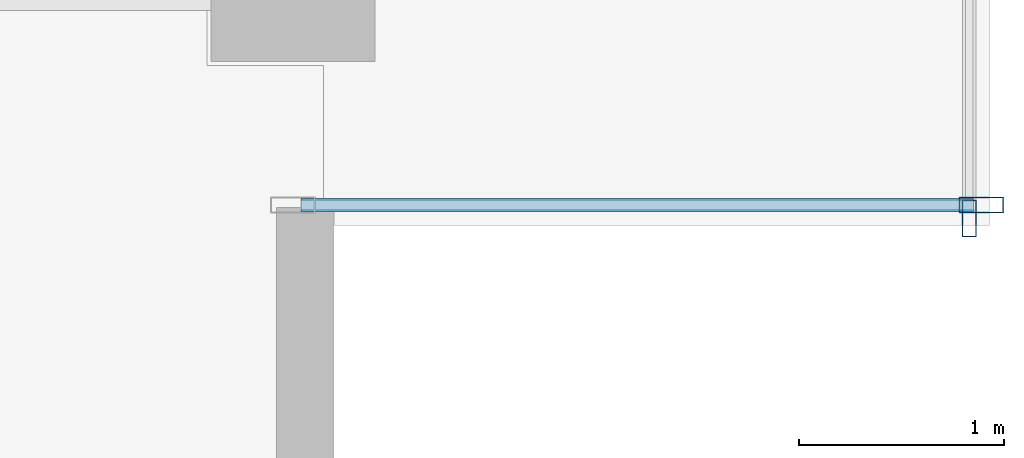
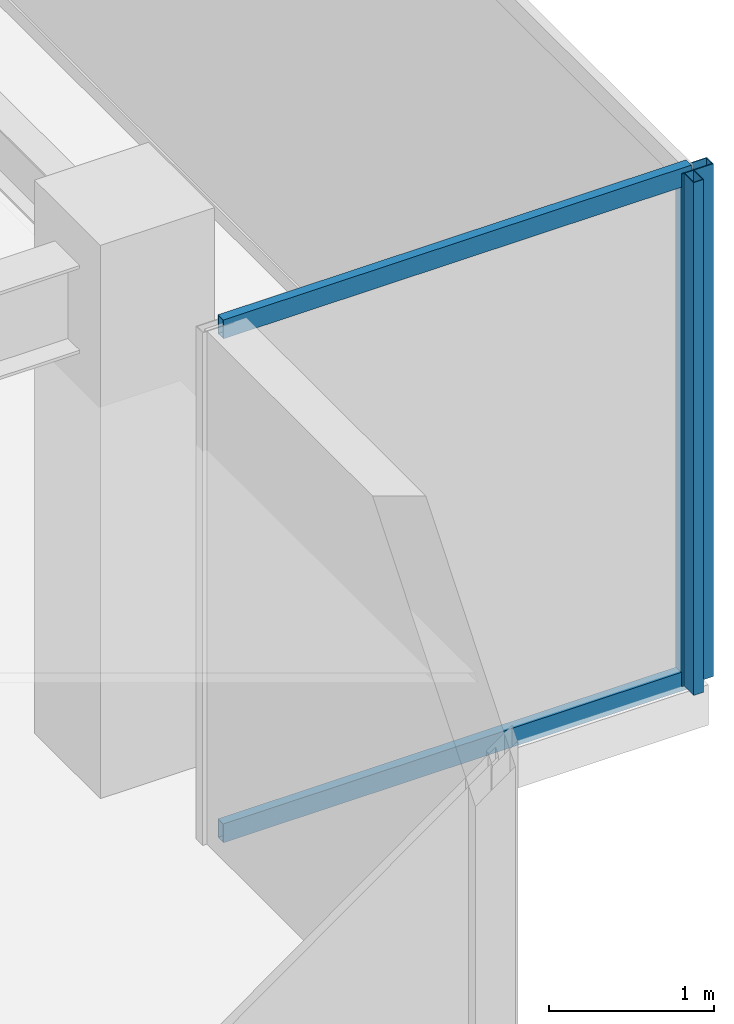
# One storey, part 22 of 36: 4 members, 2 elements without a shape of their own.
"""IFC4 building model written with IfcOpenShell, lengths in metres."""

import ifcopenshell
import ifcopenshell.guid

model = None  # the IFC model being written
_history = None  # IfcOwnerHistory: only IFC2X3 demands one
_inside = {}  # id of a spatial element -> (the spatial element, [elements in it])
_under = {}  # id of a project, library or spatial element -> (it, [spatial elements below it])
_declared = {}  # id of a project -> (the project, [libraries it declares])
_typed = {}  # id of a type object -> (the type object, [elements of that type])
_made_of = {}  # id of a material, layer set ... -> (it, [elements and type objects made of it])


def new_model(schema):
    """Start an empty IFC model of exactly this schema.

    Asked for "IFC4X3", IfcOpenShell would pick the latest addendum, in which some entities
    have other attributes; the version numbers below select the first issue.
    IFC2X3 requires an IfcOwnerHistory on every rooted entity: one is made here for all.
    """
    global model, _history
    if schema == "IFC4X3":
        model = ifcopenshell.file(schema_version=(4, 3, 0, 0))
    else:
        model = ifcopenshell.file(schema=schema)
    _inside.clear()
    _under.clear()
    _declared.clear()
    _typed.clear()
    _made_of.clear()
    _history = None
    if model.schema == "IFC2X3":
        org = make("IfcOrganization", Name="unknown")
        user = make(
            "IfcPersonAndOrganization",
            ThePerson=make("IfcPerson", FamilyName="unknown"),
            TheOrganization=org,
        )
        app = make(
            "IfcApplication",
            ApplicationDeveloper=org,
            Version="unknown",
            ApplicationFullName="unknown",
            ApplicationIdentifier="unknown",
        )
        _history = make(
            "IfcOwnerHistory",
            OwningUser=user,
            OwningApplication=app,
            ChangeAction="ADDED",
            CreationDate=0,
        )
    return model


def make(cls, **values):
    """One entity of the class cls with the attributes given. An attribute that is None is left unset."""
    return model.create_entity(
        cls, **{name: value for name, value in values.items() if value is not None}
    )


def rooted(cls, **values):
    """An entity with a GlobalId (a new one), such as an element, a storey or a relation."""
    return make(cls, GlobalId=ifcopenshell.guid.new(), OwnerHistory=_history, **values)


def si_unit(unit_type, name, prefix=None):
    """IfcSIUnit, for example si_unit("LENGTHUNIT", "METRE", prefix="MILLI")."""
    return make("IfcSIUnit", UnitType=unit_type, Prefix=prefix, Name=name)


def assignment(units):
    """IfcUnitAssignment: the units of a project."""
    return None if units is None else make("IfcUnitAssignment", Units=units)


def point(xyz):
    """IfcCartesianPoint."""
    return None if xyz is None else make("IfcCartesianPoint", Coordinates=xyz)


def direction(xyz):
    """IfcDirection."""
    return None if xyz is None else make("IfcDirection", DirectionRatios=xyz)


def frame(location, z_axis=None, x_axis=None):
    """IfcAxis2Placement3D, a coordinate frame: its origin and axes. An axis left out is left unset."""
    return make(
        "IfcAxis2Placement3D",
        Location=point(location),
        Axis=direction(z_axis),
        RefDirection=direction(x_axis),
    )


def frame_2d(location, x_axis=None):
    """IfcAxis2Placement2D, a coordinate frame in the plane: its origin and x axis."""
    return make(
        "IfcAxis2Placement2D", Location=point(location), RefDirection=direction(x_axis)
    )


def origin():
    """The frame at (0, 0, 0) with its axes left unset."""
    return frame((0.0, 0.0, 0.0))


def origin_2d():
    """The frame at (0, 0) in the plane with its x axis left unset."""
    return frame_2d((0.0, 0.0))


def place(relative_to, where):
    """IfcLocalPlacement: puts the frame where relative to a parent placement (None: the world)."""
    return make(
        "IfcLocalPlacement", PlacementRelTo=relative_to, RelativePlacement=where
    )


def context(
    kind, dimensions, precision=None, world=None, true_north=None, identifier=None
):
    """IfcGeometricRepresentationContext, for example the 3D "Model" context."""
    return make(
        "IfcGeometricRepresentationContext",
        ContextIdentifier=identifier,
        ContextType=kind,
        CoordinateSpaceDimension=dimensions,
        Precision=precision,
        WorldCoordinateSystem=world,
        TrueNorth=true_north,
    )


def subcontext(parent, identifier, kind, view, scale=None):
    """IfcGeometricRepresentationSubContext, for example "Body" below "Model"."""
    return make(
        "IfcGeometricRepresentationSubContext",
        ContextIdentifier=identifier,
        ContextType=kind,
        ParentContext=parent,
        TargetScale=scale,
        TargetView=view,
    )


def project(units=None, contexts=None):
    """IfcProject with its units and contexts."""
    return rooted(
        "IfcProject",
        Name="project",
        RepresentationContexts=contexts,
        UnitsInContext=assignment(units),
    )


def spatial(cls, under=None, at=None, **own):
    """A site, building, storey or space (cls), placed at a placement, below another one or the project."""
    s = rooted(cls, ObjectPlacement=at, **own)
    if under is not None:
        _under.setdefault(under.id(), (under, []))[1].append(s)
    return s


def profile(cls, at=None, kind="AREA", **sizes):
    """A parametric profile (cls). Its sizes go by their IFC names, for example OverallWidth=200.0."""
    return make(cls, ProfileType=kind, Position=at, **sizes)


def hollow_rectangle(**sizes):
    """IfcRectangleHollowProfileDef."""
    return profile("IfcRectangleHollowProfileDef", **sizes)


def extrude(swept, where, along, depth):
    """IfcExtrudedAreaSolid: the profile swept, set in the frame where, extruded along a direction by depth."""
    return make(
        "IfcExtrudedAreaSolid",
        SweptArea=swept,
        Position=where,
        ExtrudedDirection=direction(along),
        Depth=depth,
    )


def shape(context_of_items, identifier, shape_type, items):
    """IfcShapeRepresentation: the items that make up one representation, for example the "Body"."""
    return make(
        "IfcShapeRepresentation",
        ContextOfItems=context_of_items,
        RepresentationIdentifier=identifier,
        RepresentationType=shape_type,
        Items=items,
    )


def source(mapping_origin, context_of_items, identifier, shape_type, items):
    """IfcRepresentationMap: a shape defined once, which mapped items show again and again."""
    return make(
        "IfcRepresentationMap",
        MappingOrigin=mapping_origin,
        MappedRepresentation=shape(context_of_items, identifier, shape_type, items),
    )


def transform(
    local_origin,
    x_axis=None,
    y_axis=None,
    z_axis=None,
    scale=None,
    scale2=None,
    scale3=None,
    uniform=True,
):
    """IfcCartesianTransformationOperator3D, or its non-uniform kind. x_axis, y_axis, z_axis: its Axis1, 2, 3."""
    if uniform:
        return make(
            "IfcCartesianTransformationOperator3D",
            Axis1=direction(x_axis),
            Axis2=direction(y_axis),
            LocalOrigin=point(local_origin),
            Scale=scale,
            Axis3=direction(z_axis),
        )
    return make(
        "IfcCartesianTransformationOperator3DnonUniform",
        Axis1=direction(x_axis),
        Axis2=direction(y_axis),
        LocalOrigin=point(local_origin),
        Scale=scale,
        Axis3=direction(z_axis),
        Scale2=scale2,
        Scale3=scale3,
    )


def mapped(mapping_source, mapping_target):
    """IfcMappedItem: shows the shape of a source again, moved by a transform."""
    return make(
        "IfcMappedItem", MappingSource=mapping_source, MappingTarget=mapping_target
    )


def material(Name=None, Category=None):
    """IfcMaterial."""
    return make("IfcMaterial", Name=Name, Category=Category)


def layer(
    of_material, thickness, ventilated=None, Name=None, Category=None, Priority=None
):
    """IfcMaterialLayer: one layer of a wall or slab, of a material (None: an air gap)."""
    return make(
        "IfcMaterialLayer",
        Material=of_material,
        LayerThickness=thickness,
        IsVentilated=ventilated,
        Name=Name,
        Category=Category,
        Priority=Priority,
    )


def layer_set(layers, Name=None):
    """IfcMaterialLayerSet."""
    return make("IfcMaterialLayerSet", MaterialLayers=layers, LayerSetName=Name)


def material_profile(
    of_material, cross_section, Name=None, Category=None, Priority=None
):
    """IfcMaterialProfile: a cross section and its material."""
    return make(
        "IfcMaterialProfile",
        Name=Name,
        Material=of_material,
        Profile=cross_section,
        Priority=Priority,
        Category=Category,
    )


def profile_set(profiles, Name=None, composite=None):
    """IfcMaterialProfileSet."""
    return make(
        "IfcMaterialProfileSet",
        Name=Name,
        MaterialProfiles=profiles,
        CompositeProfile=composite,
    )


def made_of(thing, what):
    """Note that an element or type object is made of a material, layer set ...; save() writes the relation."""
    if what is not None:
        _made_of.setdefault(what.id(), (what, []))[1].append(thing)
    return thing


def type_object(cls, material=None, **own):
    """A type object (cls), such as IfcWallType, which elements share."""
    return made_of(rooted(cls, **own), material)


def type_shapes(of_type, sources):
    """Give a type object the sources (RepresentationMaps) that its elements show as mapped items."""
    of_type.RepresentationMaps = sources


def element(
    cls,
    number,
    at=None,
    inside=None,
    cuts=None,
    type_object=None,
    material=None,
    context=None,
    identifier="Body",
    shape_type=None,
    held_by="IfcProductDefinitionShape",
    body=None,
    shapes=None,
    **own,
):
    """One element of the class cls, such as IfcWall. Its Tag is "e" and its number.

    at: its placement. inside: the storey or other place that contains it. cuts: it is an
    opening in that element (IfcRelVoidsElement). A single representation is given by context,
    identifier, shape_type and body (its items); several are given by shapes. held_by: the class
    of the entity that holds the representations. save() writes the other relations.
    """
    e = rooted(cls, Tag="e%d" % number, ObjectPlacement=at, **own)
    if body is not None:
        shapes = [shape(context, identifier, shape_type, body)]
    if shapes is not None:
        e.Representation = make(held_by, Representations=shapes)
    if inside is not None:
        _inside.setdefault(inside.id(), (inside, []))[1].append(e)
    if cuts is not None:
        rooted(
            "IfcRelVoidsElement", RelatingBuildingElement=cuts, RelatedOpeningElement=e
        )
    if type_object is not None:
        _typed.setdefault(type_object.id(), (type_object, []))[1].append(e)
    return made_of(e, material)


def aggregate(whole, parts):
    """IfcRelAggregates: a whole, such as a stair, and the parts it consists of."""
    return rooted("IfcRelAggregates", RelatingObject=whole, RelatedObjects=parts)


def save(model, path):
    """Write the relations noted so far, then the file.

    IfcRelAggregates (storeys below a building ...), IfcRelContainedInSpatialStructure (elements
    in a storey), IfcRelDefinesByType, IfcRelAssociatesMaterial and IfcRelDeclares: one each for
    every whole, place, type object, material and project.
    """
    for whole, parts in _under.values():
        aggregate(whole, parts)
    for where, things in _inside.values():
        rooted(
            "IfcRelContainedInSpatialStructure",
            RelatedElements=things,
            RelatingStructure=where,
        )
    for kind, things in _typed.values():
        rooted("IfcRelDefinesByType", RelatedObjects=things, RelatingType=kind)
    for what, things in _made_of.values():
        rooted("IfcRelAssociatesMaterial", RelatedObjects=things, RelatingMaterial=what)
    for by, libraries in _declared.values():
        rooted("IfcRelDeclares", RelatingContext=by, RelatedDefinitions=libraries)
    model.write(path)


model = new_model("IFC4")

# Units and contexts
model_context = context("Model", 3, precision=1e-05, world=origin(), true_north=direction((0.0, 1.0)))
body_context = subcontext(model_context, "Body", "Model", "MODEL_VIEW")
ifc_project = project(units=[si_unit("LENGTHUNIT", "METRE"), si_unit("AREAUNIT", "SQUARE_METRE"), si_unit("VOLUMEUNIT", "CUBIC_METRE"), si_unit("PLANEANGLEUNIT", "RADIAN"), si_unit("MASSUNIT", "GRAM", prefix="KILO")], contexts=[model_context])

# Site, building, storey
site_placement = place(None, origin())
site = spatial("IfcSite", under=ifc_project, at=site_placement, CompositionType="ELEMENT")
building_placement = place(site_placement, origin())
building = spatial("IfcBuilding", under=site, at=building_placement, Name="Haelvirn Gate Laboratories", CompositionType="ELEMENT")
storey_placement = place(building_placement, frame((0.0, 0.0, 262.89990234375)))
storey = spatial("IfcBuildingStorey", under=building, at=storey_placement, Name="L63", CompositionType="ELEMENT", Elevation=262.89990234375)

# Curtain wall, members
ifc_material_1 = material(Name="Anodised bronze unitised aluminium & triple low-E glass", Category="aluminium")
ifc_layer_1 = layer(ifc_material_1, 0.181884765625, Name="CW-SYS-5")
ifc_layer_set_1 = layer_set([ifc_layer_1], Name="Anodised bronze unitised aluminium & triple low-E glass")
curtain_wall_type_1 = type_object("IfcCurtainWallType", Name="CW-SYS-5", PredefinedType="NOTDEFINED", material=ifc_layer_set_1)
curtain_wall_1_placement = place(storey_placement, origin())
curtain_wall_1 = element("IfcCurtainWall", 1, at=curtain_wall_1_placement, inside=storey, type_object=curtain_wall_type_1, Name="L63 Unitised Curtain Wall CW-L63-P0-E06-1", PredefinedType="NOTDEFINED")
ifc_material_2 = material(Name="Extruded aluminium 6063-T6 (anodised bronze)", Category="aluminium")
ifc_material_profile_1 = material_profile(ifc_material_2, hollow_rectangle(XDim=0.06494140625, YDim=0.139892578125, WallThickness=0.00390625, at=origin_2d()), Name="CWT-140x65x4")
ifc_profile_set_1 = profile_set([ifc_material_profile_1], Name="Extruded aluminium 6063-T6 (anodised bronze)")
member_type_1 = type_object("IfcMemberType", Name="CWT-T140", PredefinedType="USERDEFINED", material=ifc_profile_set_1)
shared_shape_1 = source(origin(), body_context, "Body", "SweptSolid", [
    extrude(hollow_rectangle(XDim=0.06494140625, YDim=0.139892578125, WallThickness=0.00390625, at=origin_2d()), origin(), (0.0, 0.0, 1.0), 3.280029296875),
])
type_shapes(member_type_1, [shared_shape_1])
member_1_placement = place(storey_placement, frame((67.43994140625, 5.89990234375, 0.03271484375), z_axis=(1.0, 0.0, 0.0), x_axis=(0.0, 1.0, 0.0)))
member_1 = element("IfcMember", 2, at=member_1_placement, type_object=member_type_1, Name="CW5 transom 1.1", ObjectType="TRANSOM", PredefinedType="USERDEFINED", context=body_context, shape_type="MappedRepresentation", body=[
    mapped(shared_shape_1, transform((0.0, 0.0, 0.0), scale=1.0)),
])
member_2_placement = place(storey_placement, frame((67.43994140625, 5.89990234375, 3.767578125), z_axis=(1.0, 0.0, 0.0), x_axis=(0.0, 1.0, 0.0)))
member_2 = element("IfcMember", 3, at=member_2_placement, type_object=member_type_1, Name="CW5 transom 1.2", ObjectType="TRANSOM", PredefinedType="USERDEFINED", context=body_context, shape_type="MappedRepresentation", body=[
    mapped(shared_shape_1, transform((0.0, 0.0, 0.0), scale=1.0)),
])

# Curtain wall, member
ifc_layer_2 = layer(ifc_material_1, 0.176025390625, Name="CW-SYS-4")
ifc_layer_set_2 = layer_set([ifc_layer_2], Name="Anodised bronze unitised aluminium & triple low-E glass")
curtain_wall_type_2 = type_object("IfcCurtainWallType", Name="CW-SYS-4", PredefinedType="NOTDEFINED", material=ifc_layer_set_2)
curtain_wall_2_placement = place(storey_placement, origin())
curtain_wall_2 = element("IfcCurtainWall", 4, at=curtain_wall_2_placement, inside=storey, type_object=curtain_wall_type_2, Name="L63 Unitised Curtain Wall CW-L63-P0-E07", PredefinedType="NOTDEFINED")
ifc_material_profile_2 = material_profile(ifc_material_2, hollow_rectangle(XDim=0.070068359375, YDim=0.179931640625, WallThickness=0.0048828125, at=origin_2d()), Name="CWM-180x70x5")
ifc_profile_set_2 = profile_set([ifc_material_profile_2], Name="Extruded aluminium 6063-T6 (anodised bronze)")
member_type_2 = type_object("IfcMemberType", Name="CWM-T180", PredefinedType="MULLION", material=ifc_profile_set_2)
shared_shape_2 = source(origin(), body_context, "Body", "SweptSolid", [
    extrude(hollow_rectangle(XDim=0.070068359375, YDim=0.179931640625, WallThickness=0.0048828125, at=origin_2d()), origin(), (0.0, 0.0, 1.0), 3.800048828125),
])
type_shapes(member_type_2, [shared_shape_2])
member_3_placement = place(storey_placement, frame((70.699951171875, 5.8349609375, 0.0), z_axis=(0.0, 0.0, 1.0), x_axis=(-1.0, 0.0, 0.0)))
member_3 = element("IfcMember", 5, at=member_3_placement, type_object=member_type_2, Name="CW4 mullion 1", PredefinedType="MULLION", context=body_context, shape_type="MappedRepresentation", body=[
    mapped(shared_shape_2, transform((0.0, 0.0, 0.0), scale=1.0)),
])
aggregate(curtain_wall_2, [member_3])

# Member
ifc_material_profile_3 = material_profile(ifc_material_2, hollow_rectangle(XDim=0.080078125, YDim=0.219970703125, WallThickness=0.006103515625, at=origin_2d()), Name="CWM-220x80x6")
ifc_profile_set_3 = profile_set([ifc_material_profile_3], Name="Extruded aluminium 6063-T6 (anodised bronze)")
member_type_3 = type_object("IfcMemberType", Name="CWM-T220", PredefinedType="MULLION", material=ifc_profile_set_3)
shared_shape_3 = source(origin(), body_context, "Body", "SweptSolid", [
    extrude(hollow_rectangle(XDim=0.080078125, YDim=0.219970703125, WallThickness=0.006103515625, at=origin_2d()), origin(), (0.0, 0.0, 1.0), 3.800048828125),
])
type_shapes(member_type_3, [shared_shape_3])
member_4_placement = place(storey_placement, frame((70.760009765625, 5.89990234375, 0.0), z_axis=(0.0, 0.0, 1.0), x_axis=(0.0, 1.0, 0.0)))
member_4 = element("IfcMember", 6, at=member_4_placement, type_object=member_type_3, Name="CW5 mullion 2", PredefinedType="MULLION", context=body_context, shape_type="MappedRepresentation", body=[
    mapped(shared_shape_3, transform((0.0, 0.0, 0.0), scale=1.0)),
])

aggregate(curtain_wall_1, [member_4, member_1, member_2])

save(model, "model.ifc")
